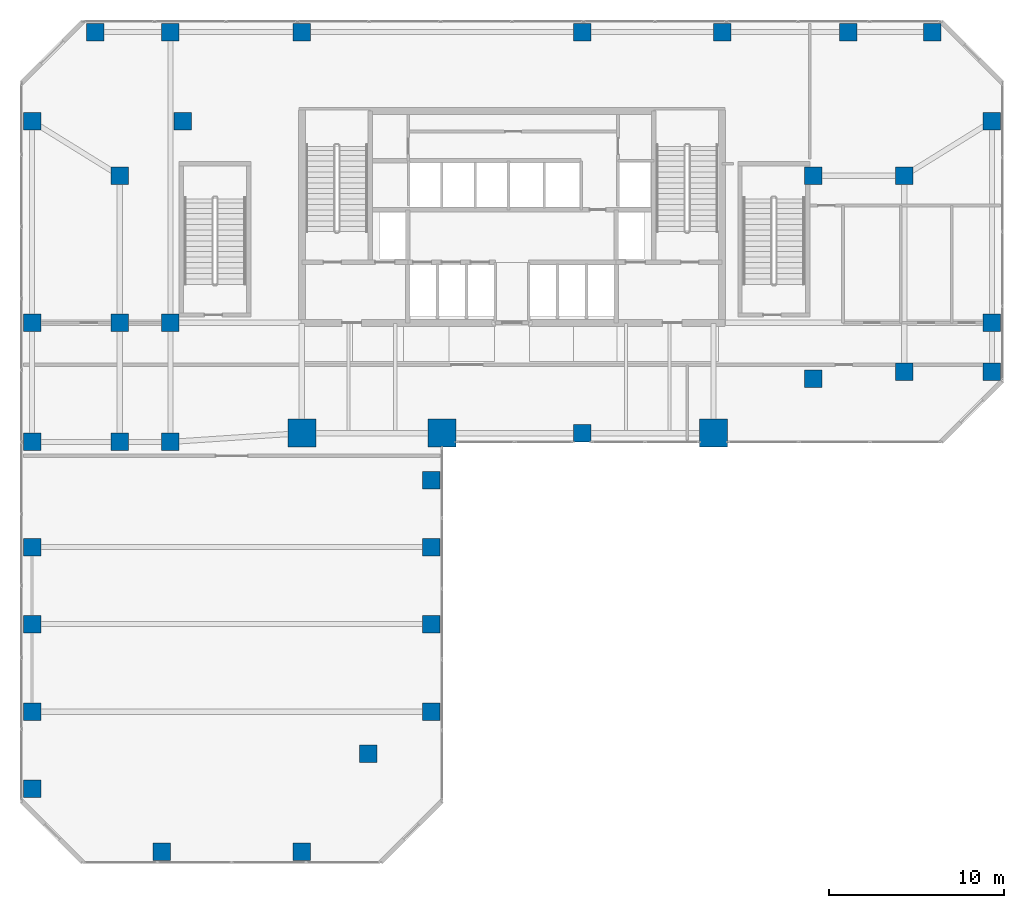
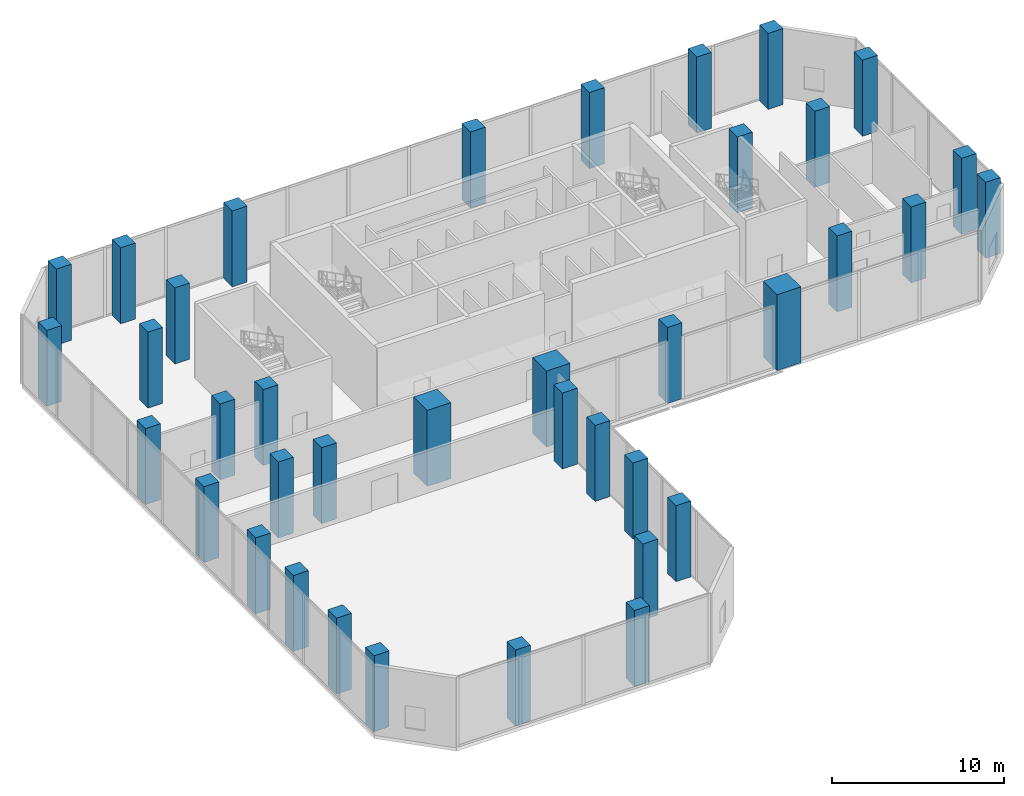
# One storey, part 1 of 24: 38 columns.
"""IFC4 building model written with IfcOpenShell, lengths in metres."""

from ifc_helpers import new_model, si_unit, direction, frame, origin, origin_2d, place, context, subcontext, project, spatial, rectangle, extrude, material, material_profile, profile_set, type_object, element, save


model = new_model("IFC4")

# Units and contexts
model_context = context("Model", 3, precision=1e-05, world=origin(), true_north=direction((0.0, 1.0)))
body_context = subcontext(model_context, "Body", "Model", "MODEL_VIEW")
ifc_project = project(units=[si_unit("LENGTHUNIT", "METRE"), si_unit("AREAUNIT", "SQUARE_METRE"), si_unit("VOLUMEUNIT", "CUBIC_METRE"), si_unit("PLANEANGLEUNIT", "RADIAN"), si_unit("MASSUNIT", "GRAM", prefix="KILO")], contexts=[model_context])

# Site, building, storey
site_placement = place(None, origin())
site = spatial("IfcSite", under=ifc_project, at=site_placement, CompositionType="ELEMENT")
building_placement = place(site_placement, origin())
building = spatial("IfcBuilding", under=site, at=building_placement, Name="Catumbela Crestline Tower", CompositionType="ELEMENT")
storey_placement = place(building_placement, frame((0.0, 0.0, 15.9)))
storey = spatial("IfcBuildingStorey", under=building, at=storey_placement, Name="L03", CompositionType="ELEMENT", Elevation=15.9)

# Columns
ifc_material = material(Name="Concrete C60/75", Category="concrete")
ifc_material_profile_1 = material_profile(ifc_material, rectangle(XDim=1.0, YDim=1.0, at=origin_2d()), Name="RC 1000x1000")
ifc_profile_set_1 = profile_set([ifc_material_profile_1], Name="Concrete C60/75")
column_type_1 = type_object("IfcColumnType", Name="C-RC1000-C60", PredefinedType="COLUMN", material=ifc_profile_set_1)
for number, where, z_axis, x_axis, name in (
    (1, (8.5, 24.0, 0.0), (0.0, 0.0, 1.0), (1.0, 0.0, 0.0), "L03 Column C-08-24 (RC 1000x1000)"),
    (2, (32.0, 24.5, 0.0), (0.0, 0.0, 1.0), (1.0, 0.0, 0.0), "L03 Column C-32-24 (RC 1000x1000)"),
    (3, (5.6, 24.0, 0.0), (0.0, 0.0, 1.0), (1.0, 0.0, 0.0), "L03 Column C-05-24 (RC 1000x1000)"),
    (4, (5.6, 30.8, 0.0), (0.0, 0.0, 1.0), (1.0, 0.0, 0.0), "L03 Column C-05-31 (RC 1000x1000)"),
    (5, (5.6, 39.2, 0.0), (0.0, 0.0, 1.0), (1.0, 0.0, 0.0), "L03 Column C-05-43 (RC 1000x1000)"),
    (6, (8.5, 30.8, 0.0), (0.0, 0.0, 1.0), (1.0, 0.0, 0.0), "L03 Column C-08-31 (RC 1000x1000)"),
    (7, (9.2, 42.3, 0.0), (0.0, 0.0, 1.0), (1.0, 0.0, 0.0), "L03 Column C-08-43 (RC 1000x1000)"),
    (8, (45.2, 27.6, 0.0), (0.0, 0.0, 1.0), (1.0, 0.0, 0.0), "L03 Column C-46-24 (RC 1000x1000)"),
    (9, (45.2, 39.2, 0.0), (0.0, 0.0, 1.0), (1.0, 0.0, 0.0), "L03 Column C-46-43 (RC 1000x1000)"),
    (10, (0.6, 24.0, 0.0), (0.0, 0.0, 1.0), (1.0, 0.0, 0.0), "L03 Column C-00-24 (RC 1000x1000)"),
    (11, (0.6, 30.8, 0.0), (0.0, 0.0, 1.0), (1.0, 0.0, 0.0), "L03 Column C-00-31 (RC 1000x1000)"),
    (12, (0.6, 42.3, 0.0), (0.0, 0.0, 1.0), (1.0, 0.0, 0.0), "L03 Column C-00-43 (RC 1000x1000)"),
    (13, (4.2, 47.4, 0.0), (0.0, 0.0, 1.0), (1.0, 0.0, 0.0), "L03 Column C-00-48 (RC 1000x1000)"),
    (14, (8.5, 47.4, 0.0), (0.0, 0.0, 1.0), (1.0, 0.0, 0.0), "L03 Column C-08-48 (RC 1000x1000)"),
    (15, (16.0, 47.4, 0.0), (0.0, 0.0, 1.0), (1.0, 0.0, 0.0), "L03 Column C-16-48 (RC 1000x1000)"),
    (16, (32.0, 47.4, 0.0), (0.0, 0.0, 1.0), (1.0, 0.0, 0.0), "L03 Column C-32-48 (RC 1000x1000)"),
    (17, (40.0, 47.4, 0.0), (0.0, 0.0, 1.0), (1.0, 0.0, 0.0), "L03 Column C-40-48 (RC 1000x1000)"),
    (18, (47.2, 47.4, 0.0), (0.0, 0.0, 1.0), (1.0, 0.0, 0.0), "L03 Column C-48-48 (RC 1000x1000)"),
    (19, (50.4, 28.0, 0.0), (0.0, 0.0, 1.0), (1.0, 0.0, 0.0), "L03 Column C-51-24 (RC 1000x1000)"),
    (20, (50.4, 39.2, 0.0), (0.0, 0.0, 1.0), (1.0, 0.0, 0.0), "L03 Column C-51-43 (RC 1000x1000)"),
    (21, (55.4, 28.0, 0.0), (0.0, 0.0, 1.0), (1.0, 0.0, 0.0), "L03 Column C-56-24 (RC 1000x1000)"),
    (22, (55.4, 30.8, 0.0), (0.0, 0.0, 1.0), (1.0, 0.0, 0.0), "L03 Column C-56-31 (RC 1000x1000)"),
    (23, (55.4, 42.3, 0.0), (0.0, 0.0, 1.0), (1.0, 0.0, 0.0), "L03 Column C-56-43 (RC 1000x1000)"),
    (24, (52.0, 47.4, 0.0), (0.0, 0.0, 1.0), (1.0, 0.0, 0.0), "L03 Column C-56-48 (RC 1000x1000)"),
    (25, (0.6, 8.6, 0.0), (0.0, 0.0, 1.0), (1.0, 0.0, 0.0), "L03 Column C-00-05 (RC 1000x1000)"),
    (26, (0.6, 13.6, 0.0), (0.0, 0.0, 1.0), (1.0, 0.0, 0.0), "L03 Column C-00-10 (RC 1000x1000)"),
    (27, (0.6, 18.0, 0.0), (0.0, 0.0, 1.0), (1.0, 0.0, 0.0), "L03 Column C-00-16 (RC 1000x1000)"),
    (28, (0.6, 4.2, 0.0), (0.0, 0.0, 1.0), (1.0, 0.0, 0.0), "L03 Column C-00-03 (RC 1000x1000)"),
    (29, (8.0, 0.6, 0.0), (0.0, 0.0, 1.0), (1.0, 0.0, 0.0), "L03 Column C-08-00 (RC 1000x1000)"),
    (30, (16.0, 0.6, 0.0), (0.0, 0.0, 1.0), (1.0, 0.0, 0.0), "L03 Column C-16-00 (RC 1000x1000)"),
    (31, (19.8, 6.2, 0.0), (0.0, 0.0, 1.0), (1.0, 0.0, 0.0), "L03 Column C-24-05 (RC 1000x1000)"),
    (32, (23.4, 8.6, 0.0), (0.0, 0.0, 1.0), (1.0, 0.0, 0.0), "L03 Column C-23-08 (RC 1000x1000)"),
    (33, (23.4, 13.6, 0.0), (0.0, 0.0, 1.0), (1.0, 0.0, 0.0), "L03 Column C-24-10 (RC 1000x1000)"),
    (34, (23.4, 18.0, 0.0), (0.0, 0.0, 1.0), (1.0, 0.0, 0.0), "L03 Column C-24-16 (RC 1000x1000)"),
    (35, (23.4, 21.8, 0.0), (0.0, 0.0, 1.0), (1.0, 0.0, 0.0), "L03 Column C-24-21 (RC 1000x1000)"),
):
    element("IfcColumn", number, at=place(storey_placement, frame(where, z_axis=z_axis, x_axis=x_axis)), inside=storey, type_object=column_type_1, Name=name, PredefinedType="COLUMN", context=body_context, shape_type="SweptSolid", body=[
        extrude(rectangle(XDim=1.0, YDim=1.0, at=origin_2d()), origin(), (0.0, 0.0, 1.0), 5.4),
    ])
ifc_material_profile_2 = material_profile(ifc_material, rectangle(XDim=1.6, YDim=1.6, at=origin_2d()), Name="RC 1600x1600")
ifc_profile_set_2 = profile_set([ifc_material_profile_2], Name="Concrete C60/75")
column_type_2 = type_object("IfcColumnType", Name="C-RC1600-C60", PredefinedType="COLUMN", material=ifc_profile_set_2)
for number, where, z_axis, x_axis, name in (
    (36, (16.0, 24.5, 0.0), (0.0, 0.0, 1.0), (1.0, 0.0, 0.0), "L03 Column C-16-24 (RC 1600x1600)"),
    (37, (24.0, 24.5, 0.0), (0.0, 0.0, 1.0), (1.0, 0.0, 0.0), "L03 Column C-24-24 (RC 1600x1600)"),
    (38, (39.5, 24.5, 0.0), (0.0, 0.0, 1.0), (1.0, 0.0, 0.0), "L03 Column C-40-24 (RC 1600x1600)"),
):
    element("IfcColumn", number, at=place(storey_placement, frame(where, z_axis=z_axis, x_axis=x_axis)), inside=storey, type_object=column_type_2, Name=name, PredefinedType="COLUMN", context=body_context, shape_type="SweptSolid", body=[
        extrude(rectangle(XDim=1.6, YDim=1.6, at=origin_2d()), origin(), (0.0, 0.0, 1.0), 5.4),
    ])

save(model, "model.ifc")
